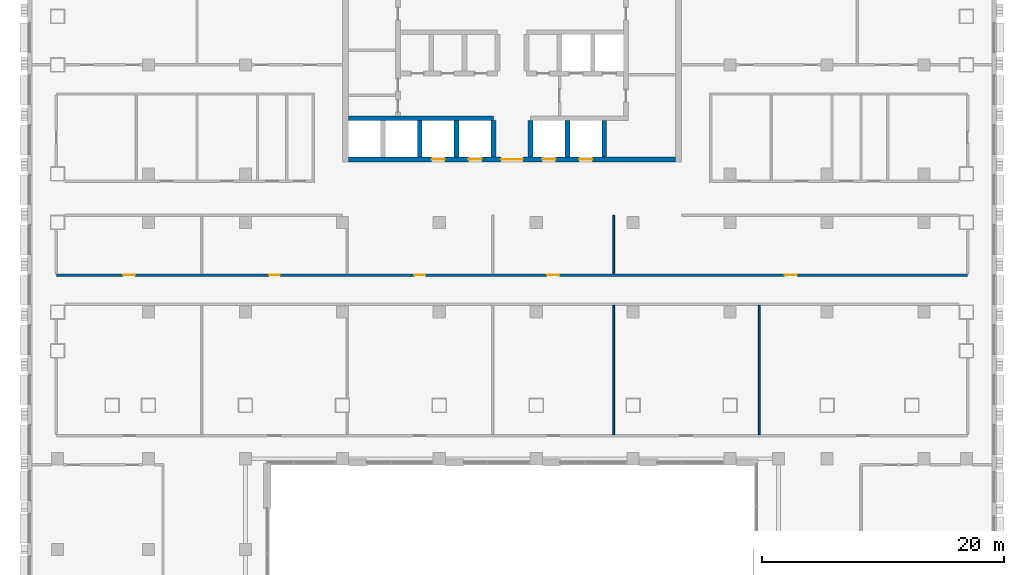
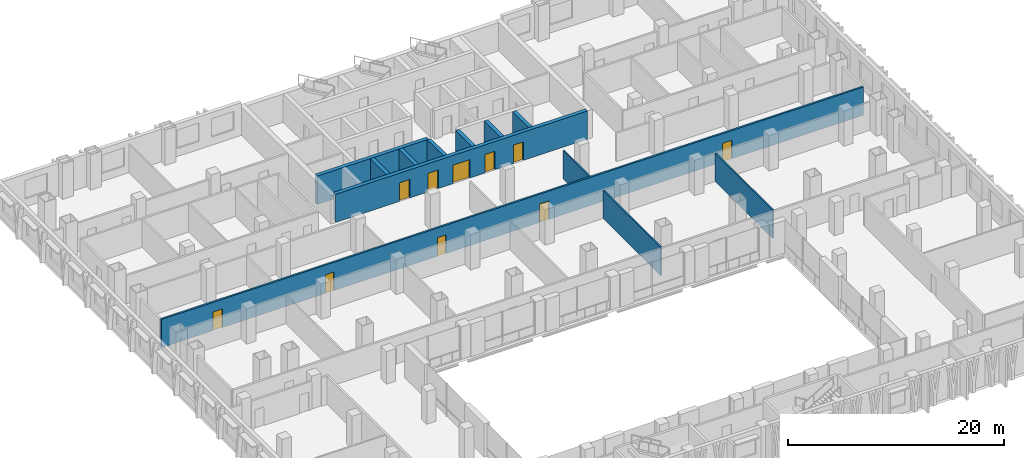
# One storey, part 12 of 24: 12 walls, 10 doors, 10 openings.
"""IFC4 building model written with IfcOpenShell, lengths in metres."""

from ifc_helpers import new_model, si_unit, direction, frame, frame_2d, origin, place, context, subcontext, project, spatial, rectangle, extrude, material, layer, layer_set, type_object, element, fill, save


model = new_model("IFC4")

# Units and contexts
model_context = context("Model", 3, precision=1e-05, world=origin(), true_north=direction((0.0, 1.0)))
body_context = subcontext(model_context, "Body", "Model", "MODEL_VIEW")
ifc_project = project(units=[si_unit("LENGTHUNIT", "METRE"), si_unit("AREAUNIT", "SQUARE_METRE"), si_unit("VOLUMEUNIT", "CUBIC_METRE"), si_unit("PLANEANGLEUNIT", "RADIAN"), si_unit("MASSUNIT", "GRAM", prefix="KILO")], contexts=[model_context])

# Site, building, storey
site_placement = place(None, origin())
site = spatial("IfcSite", under=ifc_project, at=site_placement, CompositionType="ELEMENT")
building_placement = place(site_placement, origin())
building = spatial("IfcBuilding", under=site, at=building_placement, Name="Vidyagriha Tower", CompositionType="ELEMENT")
storey_placement = place(building_placement, frame((0.0, 0.0, 22.0)))
storey = spatial("IfcBuildingStorey", under=building, at=storey_placement, Name="L05", CompositionType="ELEMENT", Elevation=22.0)

# Wall, openings, doors
ifc_material_1 = material(Name="Concrete C60/75", Category="concrete")
ifc_layer_1 = layer(ifc_material_1, 0.39990234375)
ifc_layer_set_1 = layer_set([ifc_layer_1], Name="Concrete C60/75")
wall_type_1 = type_object("IfcWallType", Name="Core shear wall 400 mm", PredefinedType="SHEAR", material=ifc_layer_set_1)
wall_1_placement = place(storey_placement, frame((-13.5, 3.199951171875, 0.0)))
wall_1 = element("IfcWall", 1, at=wall_1_placement, inside=storey, type_object=wall_type_1, Name="Core front wall", PredefinedType="SHEAR", context=body_context, shape_type="SweptSolid", body=[
    extrude(rectangle(XDim=27.0, YDim=0.39990234375, at=frame_2d((13.5, 0.0))), origin(), (0.0, 0.0, 1.0), 3.199951171875),
])
opening_1_placement = place(wall_1_placement, frame((6.861083984375, 0.0, 0.0)))
opening_1 = element("IfcOpeningElement", 2, at=opening_1_placement, cuts=wall_1, Name="Opening LD05-01", PredefinedType="OPENING", context=body_context, shape_type="SweptSolid", body=[
    extrude(rectangle(XDim=1.10009765625, YDim=2.10009765625, at=frame_2d((0.550048828125, 1.050048828125))), frame((0.0, 0.2099609375, 0.0), z_axis=(0.0, -1.0, 0.0), x_axis=(1.0, 0.0, 0.0)), (0.0, 0.0, 1.0), 0.419921875),
])
opening_2_placement = place(wall_1_placement, frame((9.905517578125, 0.0, 0.0)))
opening_2 = element("IfcOpeningElement", 3, at=opening_2_placement, cuts=wall_1, Name="Opening LD05-02", PredefinedType="OPENING", context=body_context, shape_type="SweptSolid", body=[
    extrude(rectangle(XDim=1.10009765625, YDim=2.10009765625, at=frame_2d((0.550048828125, 1.050048828125))), frame((0.0, 0.2099609375, 0.0), z_axis=(0.0, -1.0, 0.0), x_axis=(1.0, 0.0, 0.0)), (0.0, 0.0, 1.0), 0.419921875),
])
opening_3_placement = place(wall_1_placement, frame((15.994384765625, 0.0, 0.0)))
opening_3 = element("IfcOpeningElement", 4, at=opening_3_placement, cuts=wall_1, Name="Opening LD05-03", PredefinedType="OPENING", context=body_context, shape_type="SweptSolid", body=[
    extrude(rectangle(XDim=1.10009765625, YDim=2.10009765625, at=frame_2d((0.550048828125, 1.050048828125))), frame((0.0, 0.2099609375, 0.0), z_axis=(0.0, -1.0, 0.0), x_axis=(1.0, 0.0, 0.0)), (0.0, 0.0, 1.0), 0.419921875),
])
opening_4_placement = place(wall_1_placement, frame((19.038818359375, 0.0, 0.0)))
opening_4 = element("IfcOpeningElement", 5, at=opening_4_placement, cuts=wall_1, Name="Opening LD05-04", PredefinedType="OPENING", context=body_context, shape_type="SweptSolid", body=[
    extrude(rectangle(XDim=1.10009765625, YDim=2.10009765625, at=frame_2d((0.550048828125, 1.050048828125))), frame((0.0, 0.2099609375, 0.0), z_axis=(0.0, -1.0, 0.0), x_axis=(1.0, 0.0, 0.0)), (0.0, 0.0, 1.0), 0.419921875),
])
opening_5_placement = place(wall_1_placement, frame((12.60009765625, 0.0, 0.0)))
opening_5 = element("IfcOpeningElement", 6, at=opening_5_placement, cuts=wall_1, Name="Opening D05-01", PredefinedType="OPENING", context=body_context, shape_type="SweptSolid", body=[
    extrude(rectangle(XDim=1.800048828125, YDim=2.10009765625, at=frame_2d((0.89990234375, 1.050048828125))), frame((0.0, 0.2099609375, 0.0), z_axis=(0.0, -1.0, 0.0), x_axis=(1.0, 0.0, 0.0)), (0.0, 0.0, 1.0), 0.419921875),
])
ifc_material_2 = material(Name="Hollow metal door leaf")
door_type_1 = type_object("IfcDoorType", Name="Core lobby double door 1800 x 2100 mm EI 60", OperationType="NOTDEFINED", PredefinedType="DOOR", material=ifc_material_2)
door_1_placement = place(opening_5_placement, frame((1.800048828125, 0.0, 0.0), z_axis=(0.0, 0.0, 1.0), x_axis=(-1.0, 0.0, 0.0)))
door_1 = element("IfcDoor", 7, at=door_1_placement, inside=storey, type_object=door_type_1, Name="Core entrance door L05", OperationType="DOUBLE_DOOR_SINGLE_SWING", OverallHeight=2.10009765625, OverallWidth=1.800048828125, PredefinedType="DOOR", context=body_context, shape_type="SweptSolid", body=[
    extrude(rectangle(XDim=1.800048828125, YDim=2.10009765625, at=frame_2d((0.89990234375, 1.050048828125))), frame((0.0, 0.02490234375, 0.0), z_axis=(0.0, -1.0, 0.0), x_axis=(1.0, 0.0, 0.0)), (0.0, 0.0, 1.0), 0.050048828125),
])
fill(opening_5, door_1)
ifc_material_3 = material(Name="Stainless steel sliding door panel", Category="steel")
door_type_2 = type_object("IfcDoorType", Name="Lift landing door 1100 x 2100 mm EI 90", OperationType="NOTDEFINED", PredefinedType="DOOR", material=ifc_material_3)
door_2_placement = place(opening_1_placement, origin())
door_2 = element("IfcDoor", 8, at=door_2_placement, inside=storey, type_object=door_type_2, Name="Landing door LR1 L05", OperationType="SLIDING_TO_LEFT", OverallHeight=2.10009765625, OverallWidth=1.10009765625, PredefinedType="DOOR", context=body_context, shape_type="SweptSolid", body=[
    extrude(rectangle(XDim=1.10009765625, YDim=2.10009765625, at=frame_2d((0.550048828125, 1.050048828125))), frame((0.0, 0.02490234375, 0.0), z_axis=(0.0, -1.0, 0.0), x_axis=(1.0, 0.0, 0.0)), (0.0, 0.0, 1.0), 0.050048828125),
])
fill(opening_1, door_2)
door_3_placement = place(opening_2_placement, origin())
door_3 = element("IfcDoor", 9, at=door_3_placement, inside=storey, type_object=door_type_2, Name="Landing door LR2 L05", OperationType="SLIDING_TO_LEFT", OverallHeight=2.10009765625, OverallWidth=1.10009765625, PredefinedType="DOOR", context=body_context, shape_type="SweptSolid", body=[
    extrude(rectangle(XDim=1.10009765625, YDim=2.10009765625, at=frame_2d((0.550048828125, 1.050048828125))), frame((0.0, 0.02490234375, 0.0), z_axis=(0.0, -1.0, 0.0), x_axis=(1.0, 0.0, 0.0)), (0.0, 0.0, 1.0), 0.050048828125),
])
fill(opening_2, door_3)
door_4_placement = place(opening_3_placement, origin())
door_4 = element("IfcDoor", 10, at=door_4_placement, inside=storey, type_object=door_type_2, Name="Landing door LR3 L05", OperationType="SLIDING_TO_LEFT", OverallHeight=2.10009765625, OverallWidth=1.10009765625, PredefinedType="DOOR", context=body_context, shape_type="SweptSolid", body=[
    extrude(rectangle(XDim=1.10009765625, YDim=2.10009765625, at=frame_2d((0.550048828125, 1.050048828125))), frame((0.0, 0.02490234375, 0.0), z_axis=(0.0, -1.0, 0.0), x_axis=(1.0, 0.0, 0.0)), (0.0, 0.0, 1.0), 0.050048828125),
])
fill(opening_3, door_4)
door_5_placement = place(opening_4_placement, origin())
door_5 = element("IfcDoor", 11, at=door_5_placement, inside=storey, type_object=door_type_2, Name="Landing door LR4 L05", OperationType="SLIDING_TO_LEFT", OverallHeight=2.10009765625, OverallWidth=1.10009765625, PredefinedType="DOOR", context=body_context, shape_type="SweptSolid", body=[
    extrude(rectangle(XDim=1.10009765625, YDim=2.10009765625, at=frame_2d((0.550048828125, 1.050048828125))), frame((0.0, 0.02490234375, 0.0), z_axis=(0.0, -1.0, 0.0), x_axis=(1.0, 0.0, 0.0)), (0.0, 0.0, 1.0), 0.050048828125),
])
fill(opening_4, door_5)

# Walls
wall_2_placement = place(storey_placement, frame((-13.5, 6.60009765625, 0.0)))
element("IfcWall", 12, at=wall_2_placement, inside=storey, type_object=wall_type_1, Name="Core lobby south wall west", PredefinedType="SHEAR", context=body_context, shape_type="SweptSolid", body=[
    extrude(rectangle(XDim=11.977783203125, YDim=0.39990234375, at=frame_2d((5.98876953125, 0.0))), origin(), (0.0, 0.0, 1.0), 3.199951171875),
])
for number, where, z_axis, x_axis, name in (
    (13, (-7.611083984375, 3.39990234375, 0.0), (0.0, 0.0, 1.0), (0.0, 1.0, 0.0), "Core bay wall S2"),
    (14, (-4.566650390625, 3.39990234375, 0.0), (0.0, 0.0, 1.0), (0.0, 1.0, 0.0), "Core bay wall S3"),
    (15, (-1.522216796875, 3.39990234375, 0.0), (0.0, 0.0, 1.0), (0.0, 1.0, 0.0), "Core bay wall S4"),
    (16, (1.522216796875, 3.39990234375, 0.0), (0.0, 0.0, 1.0), (0.0, 1.0, 0.0), "Core bay wall S5"),
    (17, (4.566650390625, 3.39990234375, 0.0), (0.0, 0.0, 1.0), (0.0, 1.0, 0.0), "Core bay wall S6"),
    (18, (7.611083984375, 3.39990234375, 0.0), (0.0, 0.0, 1.0), (0.0, 1.0, 0.0), "Core bay wall S7"),
):
    element("IfcWall", number, at=place(storey_placement, frame(where, z_axis=z_axis, x_axis=x_axis)), inside=storey, type_object=wall_type_1, Name=name, PredefinedType="SHEAR", context=body_context, shape_type="SweptSolid", body=[
        extrude(rectangle(XDim=3.0, YDim=0.39990234375, at=frame_2d((1.5, 0.0))), origin(), (0.0, 0.0, 1.0), 3.199951171875),
    ])

# Wall, openings, doors
ifc_material_4 = material(Name="Fire rated gypsum board on light gauge framing")
ifc_layer_2 = layer(ifc_material_4, 0.199951171875)
ifc_layer_set_2 = layer_set([ifc_layer_2], Name="Fire rated gypsum board on light gauge framing")
wall_type_2 = type_object("IfcWallType", Name="Fire Rated Corridor Wall 200", PredefinedType="PARTITIONING", material=ifc_layer_set_2)
wall_3_placement = place(storey_placement, frame((-37.599853515625, -6.35009765625, 0.0)))
wall_3 = element("IfcWall", 19, at=wall_3_placement, inside=storey, type_object=wall_type_2, Name="L05 Fire Rated Corridor Wall 200 023", PredefinedType="PARTITIONING", context=body_context, shape_type="SweptSolid", body=[
    extrude(rectangle(XDim=75.19970703125, YDim=0.199951171875, at=frame_2d((37.599853515625, 0.0))), origin(), (0.0, 0.0, 1.0), 3.199951171875),
])
opening_6_placement = place(wall_3_placement, frame((5.5, 0.0, 0.0)))
opening_6 = element("IfcOpeningElement", 20, at=opening_6_placement, cuts=wall_3, Name="Opening D05-34", PredefinedType="OPENING", context=body_context, shape_type="SweptSolid", body=[
    extrude(rectangle(XDim=1.0, YDim=2.10009765625, at=frame_2d((0.5, 1.050048828125))), frame((0.0, 0.10986328125, 0.0), z_axis=(0.0, -1.0, 0.0), x_axis=(1.0, 0.0, 0.0)), (0.0, 0.0, 1.0), 0.219970703125),
])
opening_7_placement = place(wall_3_placement, frame((17.5498046875, 0.0, 0.0)))
opening_7 = element("IfcOpeningElement", 21, at=opening_7_placement, cuts=wall_3, Name="Opening D05-35", PredefinedType="OPENING", context=body_context, shape_type="SweptSolid", body=[
    extrude(rectangle(XDim=0.89990234375, YDim=2.10009765625, at=frame_2d((0.449951171875, 1.050048828125))), frame((0.0, 0.10986328125, 0.0), z_axis=(0.0, -1.0, 0.0), x_axis=(1.0, 0.0, 0.0)), (0.0, 0.0, 1.0), 0.219970703125),
])
opening_8_placement = place(wall_3_placement, frame((29.5498046875, 0.0, 0.0)))
opening_8 = element("IfcOpeningElement", 22, at=opening_8_placement, cuts=wall_3, Name="Opening D05-36", PredefinedType="OPENING", context=body_context, shape_type="SweptSolid", body=[
    extrude(rectangle(XDim=0.89990234375, YDim=2.10009765625, at=frame_2d((0.449951171875, 1.050048828125))), frame((0.0, 0.10986328125, 0.0), z_axis=(0.0, -1.0, 0.0), x_axis=(1.0, 0.0, 0.0)), (0.0, 0.0, 1.0), 0.219970703125),
])
opening_9_placement = place(wall_3_placement, frame((40.5, 0.0, 0.0)))
opening_9 = element("IfcOpeningElement", 23, at=opening_9_placement, cuts=wall_3, Name="Opening D05-37", PredefinedType="OPENING", context=body_context, shape_type="SweptSolid", body=[
    extrude(rectangle(XDim=1.0, YDim=2.10009765625, at=frame_2d((0.5, 1.050048828125))), frame((0.0, 0.10986328125, 0.0), z_axis=(0.0, -1.0, 0.0), x_axis=(1.0, 0.0, 0.0)), (0.0, 0.0, 1.0), 0.219970703125),
])
opening_10_placement = place(wall_3_placement, frame((60.099853515625, 0.0, 0.0)))
opening_10 = element("IfcOpeningElement", 24, at=opening_10_placement, cuts=wall_3, Name="Opening D05-38", PredefinedType="OPENING", context=body_context, shape_type="SweptSolid", body=[
    extrude(rectangle(XDim=1.0, YDim=2.10009765625, at=frame_2d((0.5, 1.050048828125))), frame((0.0, 0.10986328125, 0.0), z_axis=(0.0, -1.0, 0.0), x_axis=(1.0, 0.0, 0.0)), (0.0, 0.0, 1.0), 0.219970703125),
])
ifc_material_5 = material(Name="Steel fire door set", Category="steel")
door_type_3 = type_object("IfcDoorType", Name="Podium Door 1000x2100 EI 30", OperationType="NOTDEFINED", PredefinedType="DOOR", material=ifc_material_5)
door_6_placement = place(opening_6_placement, origin())
door_6 = element("IfcDoor", 25, at=door_6_placement, inside=storey, type_object=door_type_3, Name="L05 door D05-34", OperationType="SINGLE_SWING_LEFT", OverallHeight=2.10009765625, OverallWidth=1.0, PredefinedType="DOOR", context=body_context, shape_type="SweptSolid", body=[
    extrude(rectangle(XDim=1.0, YDim=2.10009765625, at=frame_2d((0.5, 1.050048828125))), frame((0.0, 0.02490234375, 0.0), z_axis=(0.0, -1.0, 0.0), x_axis=(1.0, 0.0, 0.0)), (0.0, 0.0, 1.0), 0.050048828125),
])
fill(opening_6, door_6)
door_7_placement = place(opening_9_placement, origin())
door_7 = element("IfcDoor", 26, at=door_7_placement, inside=storey, type_object=door_type_3, Name="L05 door D05-37", OperationType="SINGLE_SWING_RIGHT", OverallHeight=2.10009765625, OverallWidth=1.0, PredefinedType="DOOR", context=body_context, shape_type="SweptSolid", body=[
    extrude(rectangle(XDim=1.0, YDim=2.10009765625, at=frame_2d((0.5, 1.050048828125))), frame((0.0, 0.02490234375, 0.0), z_axis=(0.0, -1.0, 0.0), x_axis=(1.0, 0.0, 0.0)), (0.0, 0.0, 1.0), 0.050048828125),
])
fill(opening_9, door_7)
door_8_placement = place(opening_10_placement, origin())
door_8 = element("IfcDoor", 27, at=door_8_placement, inside=storey, type_object=door_type_3, Name="L05 door D05-38", OperationType="SINGLE_SWING_RIGHT", OverallHeight=2.10009765625, OverallWidth=1.0, PredefinedType="DOOR", context=body_context, shape_type="SweptSolid", body=[
    extrude(rectangle(XDim=1.0, YDim=2.10009765625, at=frame_2d((0.5, 1.050048828125))), frame((0.0, 0.02490234375, 0.0), z_axis=(0.0, -1.0, 0.0), x_axis=(1.0, 0.0, 0.0)), (0.0, 0.0, 1.0), 0.050048828125),
])
fill(opening_10, door_8)
ifc_material_6 = material(Name="Steel fire door set", Category="steel")
door_type_4 = type_object("IfcDoorType", Name="Podium Door 900x2100 EI 30", OperationType="NOTDEFINED", PredefinedType="DOOR", material=ifc_material_6)
door_9_placement = place(opening_7_placement, origin())
door_9 = element("IfcDoor", 28, at=door_9_placement, inside=storey, type_object=door_type_4, Name="L05 door D05-35", OperationType="SINGLE_SWING_LEFT", OverallHeight=2.10009765625, OverallWidth=0.89990234375, PredefinedType="DOOR", context=body_context, shape_type="SweptSolid", body=[
    extrude(rectangle(XDim=0.89990234375, YDim=2.10009765625, at=frame_2d((0.449951171875, 1.050048828125))), frame((0.0, 0.02490234375, 0.0), z_axis=(0.0, -1.0, 0.0), x_axis=(1.0, 0.0, 0.0)), (0.0, 0.0, 1.0), 0.050048828125),
])
fill(opening_7, door_9)
door_10_placement = place(opening_8_placement, origin())
door_10 = element("IfcDoor", 29, at=door_10_placement, inside=storey, type_object=door_type_4, Name="L05 door D05-36", OperationType="SINGLE_SWING_LEFT", OverallHeight=2.10009765625, OverallWidth=0.89990234375, PredefinedType="DOOR", context=body_context, shape_type="SweptSolid", body=[
    extrude(rectangle(XDim=0.89990234375, YDim=2.10009765625, at=frame_2d((0.449951171875, 1.050048828125))), frame((0.0, 0.02490234375, 0.0), z_axis=(0.0, -1.0, 0.0), x_axis=(1.0, 0.0, 0.0)), (0.0, 0.0, 1.0), 0.050048828125),
])
fill(opening_8, door_10)

# Walls
ifc_material_7 = material(Name="Gypsum board on light gauge framing")
ifc_layer_3 = layer(ifc_material_7, 0.14990234375)
ifc_layer_set_3 = layer_set([ifc_layer_3], Name="Gypsum board on light gauge framing")
wall_type_3 = type_object("IfcWallType", Name="Gypsum Board Partition 150", PredefinedType="PARTITIONING", material=ifc_layer_set_3)
wall_4_placement = place(storey_placement, frame((8.39990234375, -19.5, 0.0), z_axis=(0.0, 0.0, 1.0), x_axis=(0.0, 1.0, 0.0)))
element("IfcWall", 30, at=wall_4_placement, inside=storey, type_object=wall_type_3, Name="L05 Gypsum Board Partition 150 062", PredefinedType="PARTITIONING", context=body_context, shape_type="SweptSolid", body=[
    extrude(rectangle(XDim=10.64990234375, YDim=0.14990234375, at=frame_2d((5.324951171875, 0.0))), origin(), (0.0, 0.0, 1.0), 3.199951171875),
])
wall_5_placement = place(storey_placement, frame((8.39990234375, -6.25, 0.0), z_axis=(0.0, 0.0, 1.0), x_axis=(0.0, 1.0, 0.0)))
element("IfcWall", 31, at=wall_5_placement, inside=storey, type_object=wall_type_3, Name="L05 Gypsum Board Partition 150 063", PredefinedType="PARTITIONING", context=body_context, shape_type="SweptSolid", body=[
    extrude(rectangle(XDim=4.849853515625, YDim=0.14990234375, at=frame_2d((2.4248046875, 0.0))), origin(), (0.0, 0.0, 1.0), 3.199951171875),
])
wall_6_placement = place(storey_placement, frame((20.39990234375, -19.5, 0.0), z_axis=(0.0, 0.0, 1.0), x_axis=(0.0, 1.0, 0.0)))
element("IfcWall", 32, at=wall_6_placement, inside=storey, type_object=wall_type_3, Name="L05 Gypsum Board Partition 150 066", PredefinedType="PARTITIONING", context=body_context, shape_type="SweptSolid", body=[
    extrude(rectangle(XDim=10.64990234375, YDim=0.14990234375, at=frame_2d((5.324951171875, 0.0))), origin(), (0.0, 0.0, 1.0), 3.199951171875),
])

save(model, "model.ifc")
